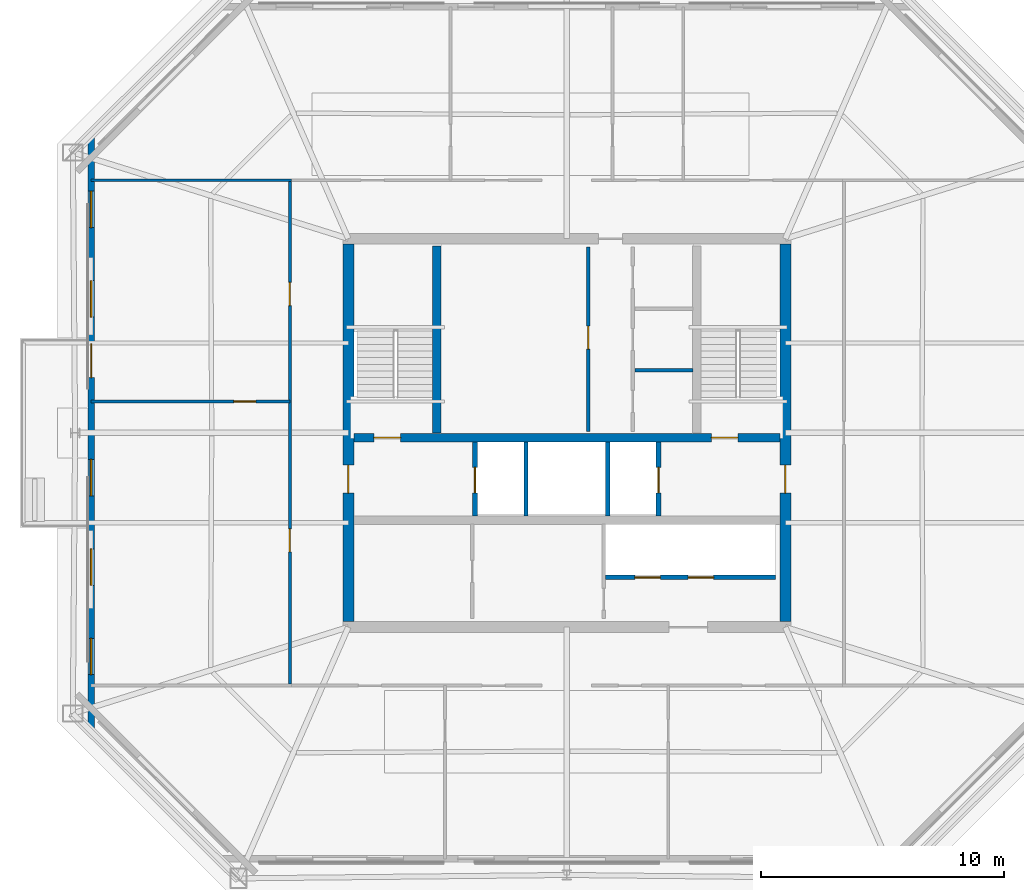
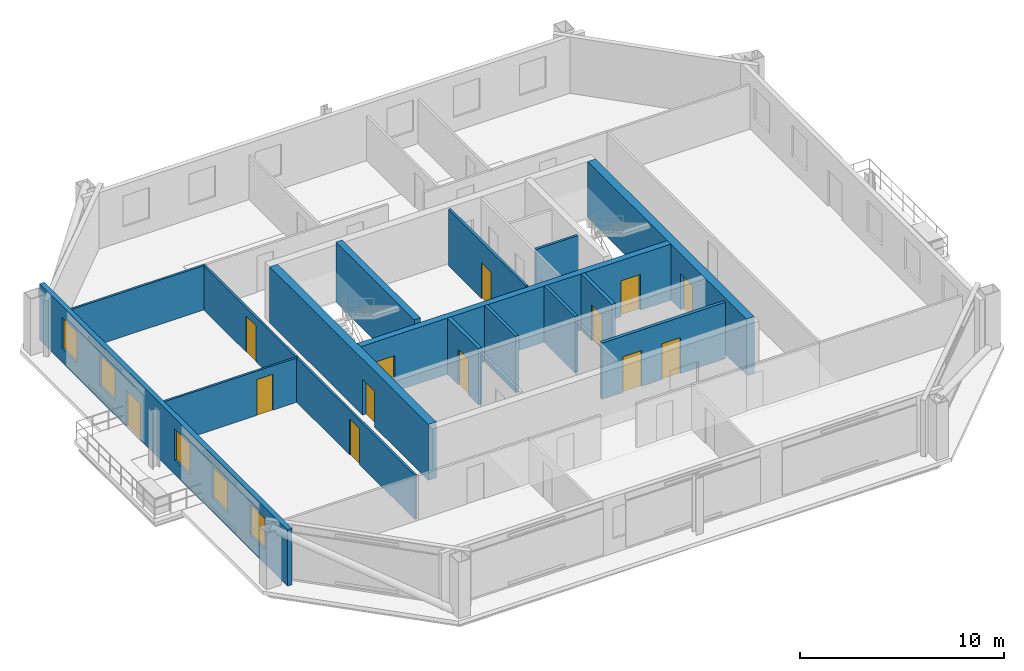
# One storey, part 3 of 7: 15 walls, 13 doors, 5 windows, 18 openings.
"""IFC4 building model written with IfcOpenShell, lengths in metres."""

from ifc_helpers import new_model, si_unit, direction, frame, frame_2d, origin, place, context, subcontext, project, spatial, rectangle, extrude, material, layer, layer_set, type_object, element, fill, save


model = new_model("IFC4")

# Units and contexts
model_context = context("Model", 3, precision=1e-05, world=origin(), true_north=direction((0.0, 1.0)))
body_context = subcontext(model_context, "Body", "Model", "MODEL_VIEW")
ifc_project = project(units=[si_unit("LENGTHUNIT", "METRE"), si_unit("AREAUNIT", "SQUARE_METRE"), si_unit("VOLUMEUNIT", "CUBIC_METRE"), si_unit("PLANEANGLEUNIT", "RADIAN"), si_unit("MASSUNIT", "GRAM", prefix="KILO")], contexts=[model_context])

# Site, building, storey
site_placement = place(None, origin())
site = spatial("IfcSite", under=ifc_project, at=site_placement, CompositionType="ELEMENT")
building_placement = place(site_placement, origin())
building = spatial("IfcBuilding", under=site, at=building_placement, Name="Caelvoria Tower", CompositionType="ELEMENT")
storey_placement = place(building_placement, frame((0.0, 0.0, 223.800048828125)))
storey = spatial("IfcBuildingStorey", under=building, at=storey_placement, Name="L59", CompositionType="ELEMENT", Elevation=223.800048828125)

# Wall, openings, doors
ifc_material_1 = material(Name="Concrete C50/60", Category="concrete")
ifc_layer_1 = layer(ifc_material_1, 0.35009765625, Name="Concrete C50/60")
ifc_layer_set_1 = layer_set([ifc_layer_1], Name="Core Internal Shear Wall 350 - Concrete C50/60")
wall_type_1 = type_object("IfcWallType", Name="Core Internal Shear Wall 350", PredefinedType="SHEAR", material=ifc_layer_set_1)
wall_1_placement = place(storey_placement, frame((37.22509765625, 31.800048828125, 0.0), z_axis=(0.0, 0.0, 1.0), x_axis=(1.0, 0.0, 0.0)))
wall_1 = element("IfcWall", 1, at=wall_1_placement, inside=storey, type_object=wall_type_1, Name="Core Shear Wall L59 M1", PredefinedType="SHEAR", context=body_context, shape_type="SweptSolid", body=[
    extrude(rectangle(XDim=17.5498046875, YDim=0.35009765625, at=frame_2d((8.77490234375, 0.0))), origin(), (0.0, 0.0, 1.0), 3.35986328125),
])
opening_1_placement = place(wall_1_placement, frame((0.824951171875, 0.0, 0.0)))
opening_1 = element("IfcOpeningElement", 2, at=opening_1_placement, cuts=wall_1, Name="Opening ID-01", PredefinedType="OPENING", context=body_context, shape_type="SweptSolid", body=[
    extrude(rectangle(XDim=1.10009765625, YDim=2.14990234375, at=frame_2d((0.550048828125, 1.074951171875))), frame((0.0, 0.18505859375, 0.0), z_axis=(0.0, -1.0, 0.0), x_axis=(1.0, 0.0, 0.0)), (0.0, 0.0, 1.0), 0.3701171875),
])
opening_2_placement = place(wall_1_placement, frame((14.72509765625, 0.0, 0.0)))
opening_2 = element("IfcOpeningElement", 3, at=opening_2_placement, cuts=wall_1, Name="Opening ID-01", PredefinedType="OPENING", context=body_context, shape_type="SweptSolid", body=[
    extrude(rectangle(XDim=1.10009765625, YDim=2.14990234375, at=frame_2d((0.550048828125, 1.074951171875))), frame((0.0, 0.18505859375, 0.0), z_axis=(0.0, -1.0, 0.0), x_axis=(1.0, 0.0, 0.0)), (0.0, 0.0, 1.0), 0.3701171875),
])
ifc_material_2 = material(Name="Painted Hollow Steel Fire Door", Category="steel")
door_type_1 = type_object("IfcDoorType", Name="Fire Door FD90S 1100x2150", OperationType="NOTDEFINED", PredefinedType="DOOR", material=ifc_material_2)
door_1_placement = place(opening_1_placement, origin())
door_1 = element("IfcDoor", 4, at=door_1_placement, inside=storey, type_object=door_type_1, Name="Core Door DR-L59-ST1", OperationType="SINGLE_SWING_LEFT", OverallHeight=2.14990234375, OverallWidth=1.10009765625, PredefinedType="DOOR", context=body_context, shape_type="SweptSolid", body=[
    extrude(rectangle(XDim=1.10009765625, YDim=2.14990234375, at=frame_2d((0.550048828125, 1.074951171875))), frame((0.0, 0.02490234375, 0.0), z_axis=(0.0, -1.0, 0.0), x_axis=(1.0, 0.0, 0.0)), (0.0, 0.0, 1.0), 0.050048828125),
])
fill(opening_1, door_1)
door_2_placement = place(opening_2_placement, origin())
door_2 = element("IfcDoor", 5, at=door_2_placement, inside=storey, type_object=door_type_1, Name="Core Door DR-L59-ST2", OperationType="SINGLE_SWING_RIGHT", OverallHeight=2.14990234375, OverallWidth=1.10009765625, PredefinedType="DOOR", context=body_context, shape_type="SweptSolid", body=[
    extrude(rectangle(XDim=1.10009765625, YDim=2.14990234375, at=frame_2d((0.550048828125, 1.074951171875))), frame((0.0, 0.02490234375, 0.0), z_axis=(0.0, -1.0, 0.0), x_axis=(1.0, 0.0, 0.0)), (0.0, 0.0, 1.0), 0.050048828125),
])
fill(opening_2, door_2)

# Wall
wall_2_placement = place(storey_placement, frame((40.64990234375, 32.0, 0.0), z_axis=(0.0, 0.0, 1.0), x_axis=(0.0, 1.0, 0.0)))
element("IfcWall", 6, at=wall_2_placement, inside=storey, type_object=wall_type_1, Name="Interior Partition IW-L59-ST1E", PredefinedType="SHEAR", context=body_context, shape_type="SweptSolid", body=[
    extrude(rectangle(XDim=7.699951171875, YDim=0.35009765625, at=frame_2d((3.85009765625, 0.0))), origin(), (0.0, 0.0, 1.0), 3.599853515625),
])

# Wall, opening, door
ifc_material_3 = material(Name="Moisture-Resistant Gypsum on Steel Stud", Category="steel")
ifc_layer_2 = layer(ifc_material_3, 0.139892578125, Name="Moisture-Resistant Gypsum on Steel Stud")
ifc_layer_set_2 = layer_set([ifc_layer_2], Name="Core Sanitary Acoustic Partition Wall 140 - Moisture-Resistant Gypsum on Steel Stud")
wall_type_2 = type_object("IfcWallType", Name="Core Sanitary Acoustic Partition Wall 140", PredefinedType="PARTITIONING", material=ifc_layer_set_2)
wall_3_placement = place(storey_placement, frame((46.8798828125, 32.050048828125, 0.0), z_axis=(0.0, 0.0, 1.0), x_axis=(0.0, 1.0, 0.0)))
wall_3 = element("IfcWall", 7, at=wall_3_placement, inside=storey, type_object=wall_type_2, Name="Interior Partition IW-L59-C2L", PredefinedType="PARTITIONING", context=body_context, shape_type="SweptSolid", body=[
    extrude(rectangle(XDim=7.599853515625, YDim=0.139892578125, at=frame_2d((3.7998046875, 0.0))), origin(), (0.0, 0.0, 1.0), 3.375),
])
opening_3_placement = place(wall_3_placement, frame((3.39990234375, 0.0, 0.0)))
opening_3 = element("IfcOpeningElement", 8, at=opening_3_placement, cuts=wall_3, Name="Opening ID-05", PredefinedType="OPENING", context=body_context, shape_type="SweptSolid", body=[
    extrude(rectangle(XDim=0.949951171875, YDim=2.14990234375, at=frame_2d((0.47509765625, 1.074951171875))), frame((0.0, 0.079833984375, 0.0), z_axis=(0.0, -1.0, 0.0), x_axis=(1.0, 0.0, 0.0)), (0.0, 0.0, 1.0), 0.159912109375),
])
ifc_material_4 = material(Name="Engineered Andean Oak Veneer Door", Category="wood")
door_type_2 = type_object("IfcDoorType", Name="Interior Timber Door 950x2150", OperationType="NOTDEFINED", PredefinedType="DOOR", material=ifc_material_4)
door_3_placement = place(opening_3_placement, origin())
door_3 = element("IfcDoor", 9, at=door_3_placement, inside=storey, type_object=door_type_2, Name="Interior Door DR-L59-C2W", OperationType="SINGLE_SWING_LEFT", OverallHeight=2.14990234375, OverallWidth=0.949951171875, PredefinedType="DOOR", context=body_context, shape_type="SweptSolid", body=[
    extrude(rectangle(XDim=0.949951171875, YDim=2.14990234375, at=frame_2d((0.47509765625, 1.074951171875))), frame((0.0, 0.02490234375, 0.0), z_axis=(0.0, -1.0, 0.0), x_axis=(1.0, 0.0, 0.0)), (0.0, 0.0, 1.0), 0.050048828125),
])
fill(opening_3, door_3)

# Walls
wall_4_placement = place(storey_placement, frame((48.800048828125, 34.580078125, 0.0), z_axis=(0.0, 0.0, 1.0), x_axis=(1.0, 0.0, 0.0)))
element("IfcWall", 10, at=wall_4_placement, inside=storey, type_object=wall_type_2, Name="Interior Partition IW-L59-C2H1", PredefinedType="PARTITIONING", context=body_context, shape_type="SweptSolid", body=[
    extrude(rectangle(XDim=2.39990234375, YDim=0.139892578125, at=frame_2d((1.199951171875, 0.0))), origin(), (0.0, 0.0, 1.0), 3.375),
])
ifc_material_5 = material(Name="Concrete Block and Fireboard Assembly", Category="concrete")
ifc_layer_3 = layer(ifc_material_5, 0.179931640625, Name="Concrete Block and Fireboard Assembly")
ifc_layer_set_3 = layer_set([ifc_layer_3], Name="Fire-Rated Hoistway Partition Wall 180 - Concrete Block and Fireboard Assembly")
wall_type_3 = type_object("IfcWallType", Name="Fire-Rated Hoistway Partition Wall 180", PredefinedType="PARTITIONING", material=ifc_layer_set_3)
for number, where, z_axis, x_axis, name in (
    (11, (44.320068359375, 28.580078125, 0.0), (0.0, 0.0, 1.0), (0.0, 1.0, 0.0), "Interior Partition IW-L59-SV1W"),
    (12, (47.679931640625, 28.580078125, 0.0), (0.0, 0.0, 1.0), (0.0, 1.0, 0.0), "Interior Partition IW-L59-SV1E"),
):
    element("IfcWall", number, at=place(storey_placement, frame(where, z_axis=z_axis, x_axis=x_axis)), inside=storey, type_object=wall_type_3, Name=name, PredefinedType="PARTITIONING", context=body_context, shape_type="SweptSolid", body=[
        extrude(rectangle(XDim=3.0400390625, YDim=0.179931640625, at=frame_2d((1.52001953125, 0.0))), origin(), (0.0, 0.0, 1.0), 3.375),
    ])

# Wall, openings, doors
wall_5_placement = place(storey_placement, frame((47.60009765625, 26.050048828125, 0.0), z_axis=(0.0, 0.0, 1.0), x_axis=(1.0, 0.0, 0.0)))
wall_5 = element("IfcWall", 13, at=wall_5_placement, inside=storey, type_object=wall_type_3, Name="Interior Partition IW-L59-LFRONT", PredefinedType="PARTITIONING", context=body_context, shape_type="SweptSolid", body=[
    extrude(rectangle(XDim=7.0, YDim=0.179931640625, at=frame_2d((3.5, 0.0))), origin(), (0.0, 0.0, 1.0), 3.375),
])
opening_4_placement = place(wall_5_placement, frame((1.199951171875, 0.0, 0.0)))
opening_4 = element("IfcOpeningElement", 14, at=opening_4_placement, cuts=wall_5, Name="Opening LD-01", PredefinedType="OPENING", context=body_context, shape_type="SweptSolid", body=[
    extrude(rectangle(XDim=1.050048828125, YDim=2.14990234375, at=frame_2d((0.52490234375, 1.074951171875))), frame((0.0, 0.099853515625, 0.0), z_axis=(0.0, -1.0, 0.0), x_axis=(1.0, 0.0, 0.0)), (0.0, 0.0, 1.0), 0.199951171875),
])
opening_5_placement = place(wall_5_placement, frame((3.39990234375, 0.0, 0.0)))
opening_5 = element("IfcOpeningElement", 15, at=opening_5_placement, cuts=wall_5, Name="Opening LD-01", PredefinedType="OPENING", context=body_context, shape_type="SweptSolid", body=[
    extrude(rectangle(XDim=1.050048828125, YDim=2.14990234375, at=frame_2d((0.52490234375, 1.074951171875))), frame((0.0, 0.099853515625, 0.0), z_axis=(0.0, -1.0, 0.0), x_axis=(1.0, 0.0, 0.0)), (0.0, 0.0, 1.0), 0.199951171875),
])
ifc_material_6 = material(Name="Brushed Bronze Stainless Sliding Landing Door", Category="aluminium")
door_type_3 = type_object("IfcDoorType", Name="Lift Landing Sliding Door 1100x2150", OperationType="NOTDEFINED", PredefinedType="DOOR", material=ifc_material_6)
door_4_placement = place(opening_4_placement, origin())
door_4 = element("IfcDoor", 16, at=door_4_placement, inside=storey, type_object=door_type_3, Name="Interior Door LD-L59-PH1", OperationType="SLIDING_TO_LEFT", OverallHeight=2.14990234375, OverallWidth=1.050048828125, PredefinedType="DOOR", context=body_context, shape_type="SweptSolid", body=[
    extrude(rectangle(XDim=1.050048828125, YDim=2.14990234375, at=frame_2d((0.52490234375, 1.074951171875))), frame((0.0, 0.02490234375, 0.0), z_axis=(0.0, -1.0, 0.0), x_axis=(1.0, 0.0, 0.0)), (0.0, 0.0, 1.0), 0.050048828125),
])
fill(opening_4, door_4)
door_5_placement = place(opening_5_placement, origin())
door_5 = element("IfcDoor", 17, at=door_5_placement, inside=storey, type_object=door_type_3, Name="Interior Door LD-L59-PH2", OperationType="SLIDING_TO_RIGHT", OverallHeight=2.14990234375, OverallWidth=1.050048828125, PredefinedType="DOOR", context=body_context, shape_type="SweptSolid", body=[
    extrude(rectangle(XDim=1.050048828125, YDim=2.14990234375, at=frame_2d((0.52490234375, 1.074951171875))), frame((0.0, 0.02490234375, 0.0), z_axis=(0.0, -1.0, 0.0), x_axis=(1.0, 0.0, 0.0)), (0.0, 0.0, 1.0), 0.050048828125),
])
fill(opening_5, door_5)

# Wall, opening, door
ifc_layer_4 = layer(ifc_material_5, 0.199951171875, Name="Concrete Block and Fireboard Assembly")
ifc_layer_set_4 = layer_set([ifc_layer_4], Name="Fire-Rated Shaft and Core Partition Wall 200 - Concrete Block and Fireboard Assembly")
wall_type_4 = type_object("IfcWallType", Name="Fire-Rated Shaft and Core Partition Wall 200", PredefinedType="PARTITIONING", material=ifc_layer_set_4)
wall_6_placement = place(storey_placement, frame((42.219970703125, 28.580078125, 0.0), z_axis=(0.0, 0.0, 1.0), x_axis=(0.0, 1.0, 0.0)))
wall_6 = element("IfcWall", 18, at=wall_6_placement, inside=storey, type_object=wall_type_4, Name="Interior Partition IW-L59-LF1W", PredefinedType="PARTITIONING", context=body_context, shape_type="SweptSolid", body=[
    extrude(rectangle(XDim=3.0400390625, YDim=0.199951171875, at=frame_2d((1.52001953125, 0.0))), origin(), (0.0, 0.0, 1.0), 3.375),
])
opening_6_placement = place(wall_6_placement, frame((0.949951171875, 0.0, 0.0)))
opening_6 = element("IfcOpeningElement", 19, at=opening_6_placement, cuts=wall_6, Name="Opening LD-01", PredefinedType="OPENING", context=body_context, shape_type="SweptSolid", body=[
    extrude(rectangle(XDim=1.050048828125, YDim=2.14990234375, at=frame_2d((0.52490234375, 1.074951171875))), frame((0.0, 0.10986328125, 0.0), z_axis=(0.0, -1.0, 0.0), x_axis=(1.0, 0.0, 0.0)), (0.0, 0.0, 1.0), 0.219970703125),
])
door_6_placement = place(opening_6_placement, origin())
door_6 = element("IfcDoor", 20, at=door_6_placement, inside=storey, type_object=door_type_3, Name="Interior Door LD-L59-LF1", OperationType="SLIDING_TO_LEFT", OverallHeight=2.14990234375, OverallWidth=1.050048828125, PredefinedType="DOOR", context=body_context, shape_type="SweptSolid", body=[
    extrude(rectangle(XDim=1.050048828125, YDim=2.14990234375, at=frame_2d((0.52490234375, 1.074951171875))), frame((0.0, 0.02490234375, 0.0), z_axis=(0.0, -1.0, 0.0), x_axis=(1.0, 0.0, 0.0)), (0.0, 0.0, 1.0), 0.050048828125),
])
fill(opening_6, door_6)

wall_7_placement = place(storey_placement, frame((49.780029296875, 28.580078125, 0.0), z_axis=(0.0, 0.0, 1.0), x_axis=(0.0, 1.0, 0.0)))
wall_7 = element("IfcWall", 21, at=wall_7_placement, inside=storey, type_object=wall_type_4, Name="Interior Partition IW-L59-LF2E", PredefinedType="PARTITIONING", context=body_context, shape_type="SweptSolid", body=[
    extrude(rectangle(XDim=3.0400390625, YDim=0.199951171875, at=frame_2d((1.52001953125, 0.0))), origin(), (0.0, 0.0, 1.0), 3.375),
])
opening_7_placement = place(wall_7_placement, frame((0.949951171875, 0.0, 0.0)))
opening_7 = element("IfcOpeningElement", 22, at=opening_7_placement, cuts=wall_7, Name="Opening LD-01", PredefinedType="OPENING", context=body_context, shape_type="SweptSolid", body=[
    extrude(rectangle(XDim=1.050048828125, YDim=2.14990234375, at=frame_2d((0.52490234375, 1.074951171875))), frame((0.0, 0.10986328125, 0.0), z_axis=(0.0, -1.0, 0.0), x_axis=(1.0, 0.0, 0.0)), (0.0, 0.0, 1.0), 0.219970703125),
])
door_7_placement = place(opening_7_placement, origin())
door_7 = element("IfcDoor", 23, at=door_7_placement, inside=storey, type_object=door_type_3, Name="Interior Door LD-L59-LF2", OperationType="SLIDING_TO_RIGHT", OverallHeight=2.14990234375, OverallWidth=1.050048828125, PredefinedType="DOOR", context=body_context, shape_type="SweptSolid", body=[
    extrude(rectangle(XDim=1.050048828125, YDim=2.14990234375, at=frame_2d((0.52490234375, 1.074951171875))), frame((0.0, 0.02490234375, 0.0), z_axis=(0.0, -1.0, 0.0), x_axis=(1.0, 0.0, 0.0)), (0.0, 0.0, 1.0), 0.050048828125),
])
fill(opening_7, door_7)

ifc_material_7 = material(Name="Acoustic Gypsum Board on Light-Gauge Stud", Category="gypsum")
ifc_layer_5 = layer(ifc_material_7, 0.1201171875, Name="Acoustic Gypsum Board on Light-Gauge Stud")
ifc_layer_set_5 = layer_set([ifc_layer_5], Name="Tenant Suite Acoustic Partition Wall 120 - Acoustic Gypsum Board on Light-Gauge Stud")
wall_type_5 = type_object("IfcWallType", Name="Tenant Suite Acoustic Partition Wall 120", PredefinedType="PARTITIONING", material=ifc_layer_set_5)
wall_8_placement = place(storey_placement, frame((34.590087890625, 33.298583984375, 0.0), z_axis=(0.0, 0.0, 1.0), x_axis=(-1.0, 0.0, 0.0)))
wall_8 = element("IfcWall", 24, at=wall_8_placement, inside=storey, type_object=wall_type_5, Name="Interior Partition IW-L59-WD-00-0", PredefinedType="PARTITIONING", context=body_context, shape_type="SweptSolid", body=[
    extrude(rectangle(XDim=8.182861328125, YDim=0.1201171875, at=frame_2d((4.09130859375, 0.0))), origin(), (0.0, 0.0, 1.0), 2.655029296875),
])
opening_8_placement = place(wall_8_placement, frame((1.39990234375, 0.0, 0.0)))
opening_8 = element("IfcOpeningElement", 25, at=opening_8_placement, cuts=wall_8, Name="Opening ID-06", PredefinedType="OPENING", context=body_context, shape_type="SweptSolid", body=[
    extrude(rectangle(XDim=0.89990234375, YDim=2.14990234375, at=frame_2d((0.449951171875, 1.074951171875))), frame((0.0, 0.070068359375, 0.0), z_axis=(0.0, -1.0, 0.0), x_axis=(1.0, 0.0, 0.0)), (0.0, 0.0, 1.0), 0.14013671875),
])
door_type_4 = type_object("IfcDoorType", Name="Interior Timber Door 900x2150", OperationType="NOTDEFINED", PredefinedType="DOOR", material=ifc_material_4)
door_8_placement = place(opening_8_placement, origin())
door_8 = element("IfcDoor", 26, at=door_8_placement, inside=storey, type_object=door_type_4, Name="Interior Door DR-L59-WM-00-0", OperationType="SINGLE_SWING_RIGHT", OverallHeight=2.14990234375, OverallWidth=0.89990234375, PredefinedType="DOOR", context=body_context, shape_type="SweptSolid", body=[
    extrude(rectangle(XDim=0.89990234375, YDim=2.14990234375, at=frame_2d((0.449951171875, 1.074951171875))), frame((0.0, 0.02490234375, 0.0), z_axis=(0.0, -1.0, 0.0), x_axis=(1.0, 0.0, 0.0)), (0.0, 0.0, 1.0), 0.050048828125),
])
fill(opening_8, door_8)

# Wall, openings, doors
wall_9_placement = place(storey_placement, frame((34.590087890625, 21.64990234375, 0.0), z_axis=(0.0, 0.0, 1.0), x_axis=(0.0, 1.0, 0.0)))
wall_9 = element("IfcWall", 27, at=wall_9_placement, inside=storey, type_object=wall_type_5, Name="Interior Partition IW-L59-WCW-0", PredefinedType="PARTITIONING", context=body_context, shape_type="SweptSolid", body=[
    extrude(rectangle(XDim=20.7001953125, YDim=0.1201171875, at=frame_2d((10.35009765625, 0.0))), origin(), (0.0, 0.0, 1.0), 2.655029296875),
])
opening_9_placement = place(wall_9_placement, frame((5.44921875, 0.0, 0.0)))
opening_9 = element("IfcOpeningElement", 28, at=opening_9_placement, cuts=wall_9, Name="Opening ID-05", PredefinedType="OPENING", context=body_context, shape_type="SweptSolid", body=[
    extrude(rectangle(XDim=0.949951171875, YDim=2.14990234375, at=frame_2d((0.47509765625, 1.074951171875))), frame((0.0, 0.070068359375, 0.0), z_axis=(0.0, -1.0, 0.0), x_axis=(1.0, 0.0, 0.0)), (0.0, 0.0, 1.0), 0.14013671875),
])
opening_10_placement = place(wall_9_placement, frame((15.59912109375, 0.0, 0.0)))
opening_10 = element("IfcOpeningElement", 29, at=opening_10_placement, cuts=wall_9, Name="Opening ID-05", PredefinedType="OPENING", context=body_context, shape_type="SweptSolid", body=[
    extrude(rectangle(XDim=0.949951171875, YDim=2.14990234375, at=frame_2d((0.47509765625, 1.074951171875))), frame((0.0, 0.070068359375, 0.0), z_axis=(0.0, -1.0, 0.0), x_axis=(1.0, 0.0, 0.0)), (0.0, 0.0, 1.0), 0.14013671875),
])
door_9_placement = place(opening_9_placement, origin())
door_9 = element("IfcDoor", 30, at=door_9_placement, inside=storey, type_object=door_type_2, Name="Interior Door DR-L59-WC-00-0", OperationType="SINGLE_SWING_RIGHT", OverallHeight=2.14990234375, OverallWidth=0.949951171875, PredefinedType="DOOR", context=body_context, shape_type="SweptSolid", body=[
    extrude(rectangle(XDim=0.949951171875, YDim=2.14990234375, at=frame_2d((0.47509765625, 1.074951171875))), frame((0.0, 0.02490234375, 0.0), z_axis=(0.0, -1.0, 0.0), x_axis=(1.0, 0.0, 0.0)), (0.0, 0.0, 1.0), 0.050048828125),
])
fill(opening_9, door_9)
door_10_placement = place(opening_10_placement, origin())
door_10 = element("IfcDoor", 31, at=door_10_placement, inside=storey, type_object=door_type_2, Name="Interior Door DR-L59-WC-01-0", OperationType="SINGLE_SWING_LEFT", OverallHeight=2.14990234375, OverallWidth=0.949951171875, PredefinedType="DOOR", context=body_context, shape_type="SweptSolid", body=[
    extrude(rectangle(XDim=0.949951171875, YDim=2.14990234375, at=frame_2d((0.47509765625, 1.074951171875))), frame((0.0, 0.02490234375, 0.0), z_axis=(0.0, -1.0, 0.0), x_axis=(1.0, 0.0, 0.0)), (0.0, 0.0, 1.0), 0.050048828125),
])
fill(opening_10, door_10)

# Wall
wall_10_placement = place(storey_placement, frame((34.64990234375, 42.409912109375, 0.0), z_axis=(0.0, 0.0, 1.0), x_axis=(-1.0, 0.0, 0.0)))
element("IfcWall", 32, at=wall_10_placement, inside=storey, type_object=wall_type_5, Name="Interior Partition IW-L59-BNW-0", PredefinedType="PARTITIONING", context=body_context, shape_type="SweptSolid", body=[
    extrude(rectangle(XDim=8.24267578125, YDim=0.1201171875, at=frame_2d((4.121337890625, 0.0))), origin(), (0.0, 0.0, 1.0), 2.655029296875),
])

# Wall, opening, door
ifc_layer_6 = layer(ifc_material_1, 0.449951171875, Name="Concrete C50/60")
ifc_layer_set_6 = layer_set([ifc_layer_6], Name="Upper Core Shear Wall 450 - Concrete C50/60")
wall_type_6 = type_object("IfcWallType", Name="Upper Core Shear Wall 450", PredefinedType="SHEAR", material=ifc_layer_set_6)
wall_11_placement = place(storey_placement, frame((37.0, 24.22509765625, 0.0), z_axis=(0.0, 0.0, 1.0), x_axis=(0.0, 1.0, 0.0)))
wall_11 = element("IfcWall", 33, at=wall_11_placement, inside=storey, type_object=wall_type_6, Name="Core Shear Wall L59 W", PredefinedType="SHEAR", context=body_context, shape_type="SweptSolid", body=[
    extrude(rectangle(XDim=15.5498046875, YDim=0.449951171875, at=frame_2d((7.77490234375, 0.0))), origin(), (0.0, 0.0, 1.0), 3.35986328125),
])
opening_11_placement = place(wall_11_placement, frame((5.300048828125, 0.0, 0.0)))
opening_11 = element("IfcOpeningElement", 34, at=opening_11_placement, cuts=wall_11, Name="Opening ID-02", PredefinedType="OPENING", context=body_context, shape_type="SweptSolid", body=[
    extrude(rectangle(XDim=1.14990234375, YDim=2.14990234375, at=frame_2d((0.574951171875, 1.074951171875))), frame((0.0, 0.23486328125, 0.0), z_axis=(0.0, -1.0, 0.0), x_axis=(1.0, 0.0, 0.0)), (0.0, 0.0, 1.0), 0.469970703125),
])
door_type_5 = type_object("IfcDoorType", Name="Fire Door FD60S 1150x2150", OperationType="NOTDEFINED", PredefinedType="DOOR", material=ifc_material_2)
door_11_placement = place(opening_11_placement, origin())
door_11 = element("IfcDoor", 35, at=door_11_placement, inside=storey, type_object=door_type_5, Name="Core Door DR-L59-FFLW-OUT", OperationType="SINGLE_SWING_LEFT", OverallHeight=2.14990234375, OverallWidth=1.14990234375, PredefinedType="DOOR", context=body_context, shape_type="SweptSolid", body=[
    extrude(rectangle(XDim=1.14990234375, YDim=2.14990234375, at=frame_2d((0.574951171875, 1.074951171875))), frame((0.0, 0.02490234375, 0.0), z_axis=(0.0, -1.0, 0.0), x_axis=(1.0, 0.0, 0.0)), (0.0, 0.0, 1.0), 0.050048828125),
])
fill(opening_11, door_11)

wall_12_placement = place(storey_placement, frame((55.0, 24.22509765625, 0.0), z_axis=(0.0, 0.0, 1.0), x_axis=(0.0, 1.0, 0.0)))
wall_12 = element("IfcWall", 36, at=wall_12_placement, inside=storey, type_object=wall_type_6, Name="Core Shear Wall L59 E", PredefinedType="SHEAR", context=body_context, shape_type="SweptSolid", body=[
    extrude(rectangle(XDim=15.5498046875, YDim=0.449951171875, at=frame_2d((7.77490234375, 0.0))), origin(), (0.0, 0.0, 1.0), 3.35986328125),
])
opening_12_placement = place(wall_12_placement, frame((5.300048828125, 0.0, 0.0)))
opening_12 = element("IfcOpeningElement", 37, at=opening_12_placement, cuts=wall_12, Name="Opening ID-02", PredefinedType="OPENING", context=body_context, shape_type="SweptSolid", body=[
    extrude(rectangle(XDim=1.14990234375, YDim=2.14990234375, at=frame_2d((0.574951171875, 1.074951171875))), frame((0.0, 0.23486328125, 0.0), z_axis=(0.0, -1.0, 0.0), x_axis=(1.0, 0.0, 0.0)), (0.0, 0.0, 1.0), 0.469970703125),
])
door_12_placement = place(opening_12_placement, origin())
door_12 = element("IfcDoor", 38, at=door_12_placement, inside=storey, type_object=door_type_5, Name="Core Door DR-L59-FFLE-OUT", OperationType="SINGLE_SWING_RIGHT", OverallHeight=2.14990234375, OverallWidth=1.14990234375, PredefinedType="DOOR", context=body_context, shape_type="SweptSolid", body=[
    extrude(rectangle(XDim=1.14990234375, YDim=2.14990234375, at=frame_2d((0.574951171875, 1.074951171875))), frame((0.0, 0.02490234375, 0.0), z_axis=(0.0, -1.0, 0.0), x_axis=(1.0, 0.0, 0.0)), (0.0, 0.0, 1.0), 0.050048828125),
])
fill(opening_12, door_12)

# Wall, openings, door, windows
ifc_material_8 = material(Name="Precast Concrete C40/50 with Bronze Cladding", Category="concrete")
ifc_layer_7 = layer(ifc_material_8, 0.264892578125, Name="Precast Concrete C40/50 with Bronze Cladding")
ifc_layer_set_7 = layer_set([ifc_layer_7], Name="Upper Taper Precast Concrete C40/50 Bronze Facade Wall 265 - Precast Concrete C40/50 with Bronze Cladding")
wall_type_7 = type_object("IfcWallType", Name="Upper Taper Precast Concrete C40/50 Bronze Facade Wall 265", PredefinedType="STANDARD", material=ifc_layer_set_7)
wall_13_placement = place(storey_placement, frame((26.4072265625, 44.149169921875, 0.0), z_axis=(0.0, 0.0, 1.0), x_axis=(0.0, -1.0, 0.0)))
wall_13 = element("IfcWall", 39, at=wall_13_placement, inside=storey, type_object=wall_type_7, Name="Exterior Facade Wall L59-E6", PredefinedType="STANDARD", context=body_context, shape_type="SweptSolid", body=[
    extrude(rectangle(XDim=24.29833984375, YDim=0.264892578125, at=frame_2d((12.149169921875, 0.0))), origin(), (0.0, 0.0, 1.0), 3.375),
])
opening_13_placement = place(wall_13_placement, frame((8.468994140625, 0.0, 0.0)))
opening_13 = element("IfcOpeningElement", 40, at=opening_13_placement, cuts=wall_13, Name="Opening ED-04", PredefinedType="OPENING", context=body_context, shape_type="SweptSolid", body=[
    extrude(rectangle(XDim=1.39990234375, YDim=2.14990234375, at=frame_2d((0.699951171875, 1.074951171875))), frame((0.0, 0.142333984375, 0.0), z_axis=(0.0, -1.0, 0.0), x_axis=(1.0, 0.0, 0.0)), (0.0, 0.0, 1.0), 0.284912109375),
])
opening_14_placement = place(wall_13_placement, frame((2.19140625, 0.0, 0.85009765625)))
opening_14 = element("IfcOpeningElement", 41, at=opening_14_placement, cuts=wall_13, Name="Opening WN-03", PredefinedType="OPENING", context=body_context, shape_type="SweptSolid", body=[
    extrude(rectangle(XDim=1.5, YDim=1.85009765625, at=frame_2d((0.75, 0.925048828125))), frame((0.0, 0.142333984375, 0.0), z_axis=(0.0, -1.0, 0.0), x_axis=(1.0, 0.0, 0.0)), (0.0, 0.0, 1.0), 0.284912109375),
])
opening_15_placement = place(wall_13_placement, frame((5.87451171875, 0.0, 0.85009765625)))
opening_15 = element("IfcOpeningElement", 42, at=opening_15_placement, cuts=wall_13, Name="Opening WN-03", PredefinedType="OPENING", context=body_context, shape_type="SweptSolid", body=[
    extrude(rectangle(XDim=1.5, YDim=1.85009765625, at=frame_2d((0.75, 0.925048828125))), frame((0.0, 0.142333984375, 0.0), z_axis=(0.0, -1.0, 0.0), x_axis=(1.0, 0.0, 0.0)), (0.0, 0.0, 1.0), 0.284912109375),
])
opening_16_placement = place(wall_13_placement, frame((13.240478515625, 0.0, 0.85009765625)))
opening_16 = element("IfcOpeningElement", 43, at=opening_16_placement, cuts=wall_13, Name="Opening WN-03", PredefinedType="OPENING", context=body_context, shape_type="SweptSolid", body=[
    extrude(rectangle(XDim=1.5, YDim=1.85009765625, at=frame_2d((0.75, 0.925048828125))), frame((0.0, 0.142333984375, 0.0), z_axis=(0.0, -1.0, 0.0), x_axis=(1.0, 0.0, 0.0)), (0.0, 0.0, 1.0), 0.284912109375),
])
opening_17_placement = place(wall_13_placement, frame((16.923583984375, 0.0, 0.85009765625)))
opening_17 = element("IfcOpeningElement", 44, at=opening_17_placement, cuts=wall_13, Name="Opening WN-03", PredefinedType="OPENING", context=body_context, shape_type="SweptSolid", body=[
    extrude(rectangle(XDim=1.5, YDim=1.85009765625, at=frame_2d((0.75, 0.925048828125))), frame((0.0, 0.142333984375, 0.0), z_axis=(0.0, -1.0, 0.0), x_axis=(1.0, 0.0, 0.0)), (0.0, 0.0, 1.0), 0.284912109375),
])
opening_18_placement = place(wall_13_placement, frame((20.606689453125, 0.0, 0.85009765625)))
opening_18 = element("IfcOpeningElement", 45, at=opening_18_placement, cuts=wall_13, Name="Opening WN-03", PredefinedType="OPENING", context=body_context, shape_type="SweptSolid", body=[
    extrude(rectangle(XDim=1.5, YDim=1.85009765625, at=frame_2d((0.75, 0.925048828125))), frame((0.0, 0.142333984375, 0.0), z_axis=(0.0, -1.0, 0.0), x_axis=(1.0, 0.0, 0.0)), (0.0, 0.0, 1.0), 0.284912109375),
])
ifc_material_9 = material(Name="Anodised Bronze Aluminium and Laminated Glass", Category="aluminium")
door_type_6 = type_object("IfcDoorType", Name="Tree Balcony Glazed Door 1400x2150", OperationType="NOTDEFINED", PredefinedType="DOOR", material=ifc_material_9)
door_13_placement = place(opening_13_placement, origin())
door_13 = element("IfcDoor", 46, at=door_13_placement, inside=storey, type_object=door_type_6, Name="Tree Balcony Door L59-W", OperationType="SINGLE_SWING_LEFT", OverallHeight=2.14990234375, OverallWidth=1.39990234375, PredefinedType="DOOR", context=body_context, shape_type="SweptSolid", body=[
    extrude(rectangle(XDim=1.39990234375, YDim=2.14990234375, at=frame_2d((0.699951171875, 1.074951171875))), frame((0.0, 0.02490234375, 0.0), z_axis=(0.0, -1.0, 0.0), x_axis=(1.0, 0.0, 0.0)), (0.0, 0.0, 1.0), 0.050048828125),
])
fill(opening_13, door_13)
ifc_material_10 = material(Name="Low-E Tinted Glass in Bronze Aluminium Frame", Category="aluminium")
window_type = type_object("IfcWindowType", Name="Upper Taper Vision Window 1500x1850", PartitioningType="SINGLE_PANEL", PredefinedType="WINDOW", material=ifc_material_10)
window_1_placement = place(opening_14_placement, origin())
window_1 = element("IfcWindow", 47, at=window_1_placement, inside=storey, type_object=window_type, Name="Facade Window L59-E6-00", OverallHeight=1.85009765625, OverallWidth=1.5, PartitioningType="SINGLE_PANEL", PredefinedType="WINDOW", context=body_context, shape_type="SweptSolid", body=[
    extrude(rectangle(XDim=1.5, YDim=1.85009765625, at=frame_2d((0.75, 0.925048828125))), frame((0.0, 0.030029296875, 0.0), z_axis=(0.0, -1.0, 0.0), x_axis=(1.0, 0.0, 0.0)), (0.0, 0.0, 1.0), 0.06005859375),
])
fill(opening_14, window_1)
window_2_placement = place(opening_15_placement, origin())
window_2 = element("IfcWindow", 48, at=window_2_placement, inside=storey, type_object=window_type, Name="Facade Window L59-E6-01", OverallHeight=1.85009765625, OverallWidth=1.5, PartitioningType="SINGLE_PANEL", PredefinedType="WINDOW", context=body_context, shape_type="SweptSolid", body=[
    extrude(rectangle(XDim=1.5, YDim=1.85009765625, at=frame_2d((0.75, 0.925048828125))), frame((0.0, 0.030029296875, 0.0), z_axis=(0.0, -1.0, 0.0), x_axis=(1.0, 0.0, 0.0)), (0.0, 0.0, 1.0), 0.06005859375),
])
fill(opening_15, window_2)
window_3_placement = place(opening_16_placement, origin())
window_3 = element("IfcWindow", 49, at=window_3_placement, inside=storey, type_object=window_type, Name="Facade Window L59-E6-03", OverallHeight=1.85009765625, OverallWidth=1.5, PartitioningType="SINGLE_PANEL", PredefinedType="WINDOW", context=body_context, shape_type="SweptSolid", body=[
    extrude(rectangle(XDim=1.5, YDim=1.85009765625, at=frame_2d((0.75, 0.925048828125))), frame((0.0, 0.030029296875, 0.0), z_axis=(0.0, -1.0, 0.0), x_axis=(1.0, 0.0, 0.0)), (0.0, 0.0, 1.0), 0.06005859375),
])
fill(opening_16, window_3)
window_4_placement = place(opening_17_placement, origin())
window_4 = element("IfcWindow", 50, at=window_4_placement, inside=storey, type_object=window_type, Name="Facade Window L59-E6-04", OverallHeight=1.85009765625, OverallWidth=1.5, PartitioningType="SINGLE_PANEL", PredefinedType="WINDOW", context=body_context, shape_type="SweptSolid", body=[
    extrude(rectangle(XDim=1.5, YDim=1.85009765625, at=frame_2d((0.75, 0.925048828125))), frame((0.0, 0.030029296875, 0.0), z_axis=(0.0, -1.0, 0.0), x_axis=(1.0, 0.0, 0.0)), (0.0, 0.0, 1.0), 0.06005859375),
])
fill(opening_17, window_4)
window_5_placement = place(opening_18_placement, origin())
window_5 = element("IfcWindow", 51, at=window_5_placement, inside=storey, type_object=window_type, Name="Facade Window L59-E6-05", OverallHeight=1.85009765625, OverallWidth=1.5, PartitioningType="SINGLE_PANEL", PredefinedType="WINDOW", context=body_context, shape_type="SweptSolid", body=[
    extrude(rectangle(XDim=1.5, YDim=1.85009765625, at=frame_2d((0.75, 0.925048828125))), frame((0.0, 0.030029296875, 0.0), z_axis=(0.0, -1.0, 0.0), x_axis=(1.0, 0.0, 0.0)), (0.0, 0.0, 1.0), 0.06005859375),
])
fill(opening_18, window_5)

save(model, "model.ifc")
